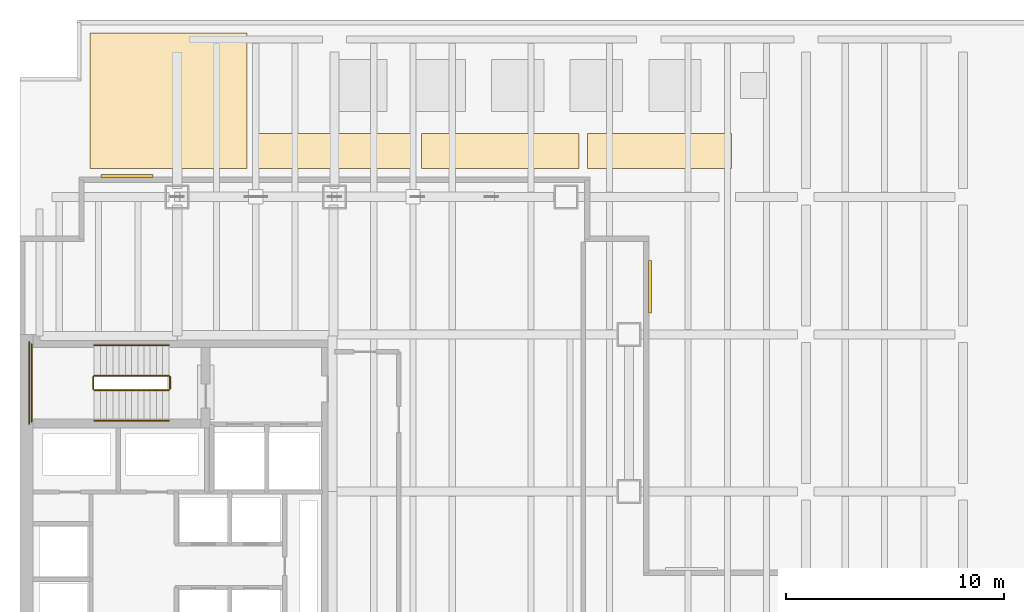
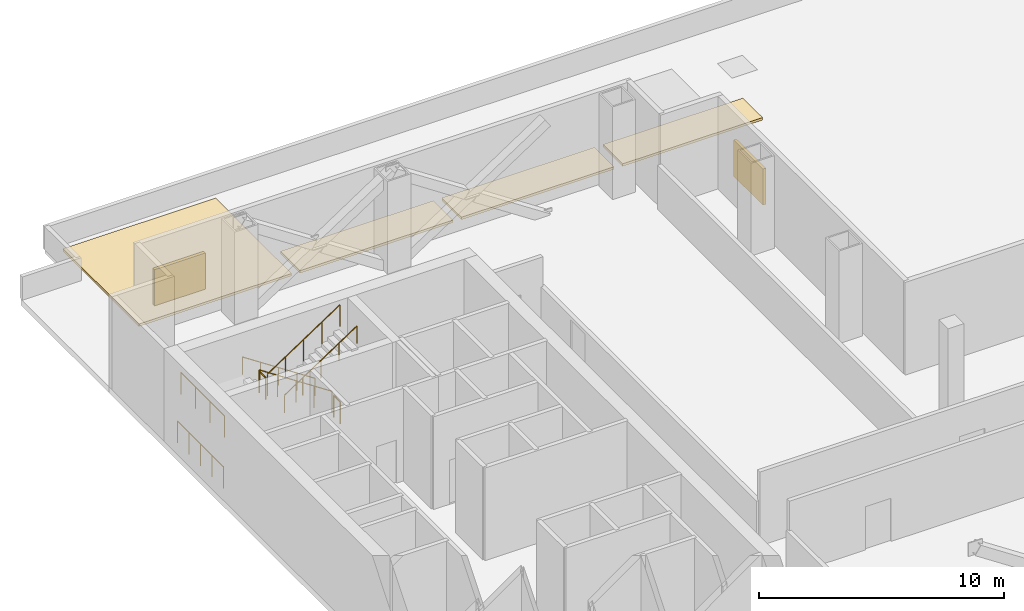
# One storey, part 11 of 12: 8 railings, 4 coverings, 2 shading devices.
"""IFC4 building model written with IfcOpenShell, lengths in metres."""

from ifc_helpers import new_model, si_unit, direction, frame, origin, origin_2d, place, context, subcontext, project, spatial, polyline, circle, outline, extrude, material, layer, layer_set, type_object, element, save


model = new_model("IFC4")

# Units and contexts
model_context = context("Model", 3, precision=1e-05, world=origin(), true_north=direction((0.0, 1.0)))
body_context = subcontext(model_context, "Body", "Model", "MODEL_VIEW")
ifc_project = project(units=[si_unit("LENGTHUNIT", "METRE"), si_unit("AREAUNIT", "SQUARE_METRE"), si_unit("VOLUMEUNIT", "CUBIC_METRE"), si_unit("PLANEANGLEUNIT", "RADIAN"), si_unit("MASSUNIT", "GRAM", prefix="KILO")], contexts=[model_context])

# Site, building, storey
site_placement = place(None, origin())
site = spatial("IfcSite", under=ifc_project, at=site_placement, CompositionType="ELEMENT")
building_placement = place(site_placement, origin())
building = spatial("IfcBuilding", under=site, at=building_placement, Name="Cobrela Telecom Tower", CompositionType="ELEMENT")
storey_placement = place(building_placement, frame((0.0, 0.0, 26.25)))
storey = spatial("IfcBuildingStorey", under=building, at=storey_placement, Name="L06", CompositionType="ELEMENT", Elevation=26.25)

# Coverings
ifc_material_1 = material(Name="TPO Waterproofing Membrane")
ifc_layer_1 = layer(ifc_material_1, 0.1201171875)
ifc_layer_set_1 = layer_set([ifc_layer_1], Name="TPO Waterproofing Membrane")
covering_type = type_object("IfcCoveringType", Name="COV-ROOF-120", PredefinedType="ROOFING", material=ifc_layer_set_1)
covering_1_placement = place(storey_placement, origin())
element("IfcCovering", 1, at=covering_1_placement, inside=storey, type_object=covering_type, Name="L06 Waterproof Insulated Roof Membrane POD-N1", PredefinedType="ROOFING", context=body_context, shape_type="SweptSolid", body=[
    extrude(outline(polyline([(3.199951171875, 43.60009765625), (10.39990234375, 43.60009765625), (10.39990234375, 49.800048828125), (3.199951171875, 49.800048828125), (3.199951171875, 43.60009765625)])), origin(), (0.0, 0.0, 1.0), 0.1201171875),
])
covering_2_placement = place(storey_placement, origin())
element("IfcCovering", 2, at=covering_2_placement, inside=storey, type_object=covering_type, Name="L06 Waterproof Insulated Roof Membrane POD-N2", PredefinedType="ROOFING", context=body_context, shape_type="SweptSolid", body=[
    extrude(outline(polyline([(10.800048828125, 43.60009765625), (18.0, 43.60009765625), (18.0, 45.199951171875), (10.800048828125, 45.199951171875), (10.800048828125, 43.60009765625)])), origin(), (0.0, 0.0, 1.0), 0.1201171875),
])
covering_3_placement = place(storey_placement, origin())
element("IfcCovering", 3, at=covering_3_placement, inside=storey, type_object=covering_type, Name="L06 Waterproof Insulated Roof Membrane POD-N3", PredefinedType="ROOFING", context=body_context, shape_type="SweptSolid", body=[
    extrude(outline(polyline([(18.39990234375, 43.60009765625), (25.60009765625, 43.60009765625), (25.60009765625, 45.199951171875), (18.39990234375, 45.199951171875), (18.39990234375, 43.60009765625)])), origin(), (0.0, 0.0, 1.0), 0.1201171875),
])
covering_4_placement = place(storey_placement, origin())
element("IfcCovering", 4, at=covering_4_placement, inside=storey, type_object=covering_type, Name="L06 Waterproof Insulated Roof Membrane POD-N4", PredefinedType="ROOFING", context=body_context, shape_type="SweptSolid", body=[
    extrude(outline(polyline([(26.0, 43.60009765625), (32.60009765625, 43.60009765625), (32.60009765625, 45.199951171875), (26.0, 45.199951171875), (26.0, 43.60009765625)])), origin(), (0.0, 0.0, 1.0), 0.1201171875),
])

# Railings
ifc_material_2 = material(Name="Steel ASTM A36", Category="steel")
railing_type_1 = type_object("IfcRailingType", Name="RAIL-GUARD-1100", PredefinedType="GUARDRAIL", material=ifc_material_2)
railing_1_placement = place(storey_placement, frame((6.820068359375, 34.10009765625, 0.1884765625)))
element("IfcRailing", 5, at=railing_1_placement, inside=storey, type_object=railing_type_1, Name="L06 ST1 stair guard 1", PredefinedType="GUARDRAIL", context=body_context, shape_type="SweptSolid", body=[
    extrude(circle(Radius=0.02392578125, at=origin_2d()), frame((0.0, 0.0, 1.076171875), z_axis=(-0.83414210066, 0.0, 0.551549595147), x_axis=(0.0, -1.0, 0.0)), (0.0, 0.0, 1.0), 4.100341796875),
    extrude(circle(Radius=0.02099609375, at=origin_2d()), origin(), (0.0, 0.0, 1.0), 1.052001953125),
    extrude(circle(Radius=0.02099609375, at=origin_2d()), frame((-0.85498046875, 0.0, 0.5654296875)), (0.0, 0.0, 1.0), 1.052001953125),
    extrude(circle(Radius=0.02099609375, at=origin_2d()), frame((-1.7099609375, 0.0, 1.130859375)), (0.0, 0.0, 1.0), 1.052001953125),
    extrude(circle(Radius=0.02099609375, at=origin_2d()), frame((-2.565185546875, 0.0, 1.696044921875)), (0.0, 0.0, 1.0), 1.052001953125),
    extrude(circle(Radius=0.02099609375, at=origin_2d()), frame((-3.420166015625, 0.0, 2.261474609375)), (0.0, 0.0, 1.0), 1.052001953125),
])
railing_2_placement = place(storey_placement, frame((3.35009765625, 34.050048828125, 2.449951171875)))
element("IfcRailing", 6, at=railing_2_placement, inside=storey, type_object=railing_type_1, Name="L06 ST1 stair guard 2", PredefinedType="GUARDRAIL", context=body_context, shape_type="SweptSolid", body=[
    extrude(circle(Radius=0.02392578125, at=origin_2d()), frame((0.0, 0.0, 1.076171875), z_axis=(0.0, -1.0, 0.0), x_axis=(1.0, 0.0, 0.0)), (0.0, 0.0, 1.0), 0.550048828125),
    extrude(circle(Radius=0.02099609375, at=origin_2d()), origin(), (0.0, 0.0, 1.0), 1.052001953125),
    extrude(circle(Radius=0.02099609375, at=origin_2d()), frame((0.0, -0.550048828125, 0.0)), (0.0, 0.0, 1.0), 1.052001953125),
])
railing_3_placement = place(storey_placement, frame((0.530029296875, 35.550048828125, 2.449951171875)))
element("IfcRailing", 7, at=railing_3_placement, inside=storey, type_object=railing_type_1, Name="L06 ST1 stair guard 3", PredefinedType="GUARDRAIL", context=body_context, shape_type="SweptSolid", body=[
    extrude(circle(Radius=0.02392578125, at=origin_2d()), frame((0.0, 0.0, 1.076171875), z_axis=(0.0, -1.0, 0.0), x_axis=(1.0, 0.0, 0.0)), (0.0, 0.0, 1.0), 3.550048828125),
    extrude(circle(Radius=0.02099609375, at=origin_2d()), origin(), (0.0, 0.0, 1.0), 1.052001953125),
    extrude(circle(Radius=0.02099609375, at=origin_2d()), frame((0.0, -1.183349609375, 0.0)), (0.0, 0.0, 1.0), 1.052001953125),
    extrude(circle(Radius=0.02099609375, at=origin_2d()), frame((0.0, -2.36669921875, 0.0)), (0.0, 0.0, 1.0), 1.052001953125),
    extrude(circle(Radius=0.02099609375, at=origin_2d()), frame((0.0, -3.550048828125, 0.0)), (0.0, 0.0, 1.0), 1.052001953125),
])
railing_4_placement = place(storey_placement, frame((3.39990234375, 33.449951171875, 2.638427734375)))
element("IfcRailing", 8, at=railing_4_placement, inside=storey, type_object=railing_type_1, Name="L06 ST1 stair guard 4", PredefinedType="GUARDRAIL", context=body_context, shape_type="SweptSolid", body=[
    extrude(circle(Radius=0.02392578125, at=origin_2d()), frame((0.0, 0.0, 1.076171875), z_axis=(0.83414210066, 0.0, 0.551549595147), x_axis=(0.0, 1.0, 0.0)), (0.0, 0.0, 1.0), 4.100341796875),
    extrude(circle(Radius=0.02099609375, at=origin_2d()), origin(), (0.0, 0.0, 1.0), 1.052001953125),
    extrude(circle(Radius=0.02099609375, at=origin_2d()), frame((0.85498046875, 0.0, 0.5654296875)), (0.0, 0.0, 1.0), 1.052001953125),
    extrude(circle(Radius=0.02099609375, at=origin_2d()), frame((1.7099609375, 0.0, 1.130859375)), (0.0, 0.0, 1.0), 1.052001953125),
    extrude(circle(Radius=0.02099609375, at=origin_2d()), frame((2.565185546875, 0.0, 1.696044921875)), (0.0, 0.0, 1.0), 1.052001953125),
    extrude(circle(Radius=0.02099609375, at=origin_2d()), frame((3.420166015625, 0.0, 2.261474609375)), (0.0, 0.0, 1.0), 1.052001953125),
])
railing_5_placement = place(storey_placement, frame((6.8701171875, 34.050048828125, 0.0)))
element("IfcRailing", 9, at=railing_5_placement, inside=storey, type_object=railing_type_1, Name="L06 ST1 stair guard 5", PredefinedType="GUARDRAIL", context=body_context, shape_type="SweptSolid", body=[
    extrude(circle(Radius=0.02392578125, at=origin_2d()), frame((0.0, 0.0, 1.076171875), z_axis=(0.0, -1.0, 0.0), x_axis=(1.0, 0.0, 0.0)), (0.0, 0.0, 1.0), 0.550048828125),
    extrude(circle(Radius=0.02099609375, at=origin_2d()), origin(), (0.0, 0.0, 1.0), 1.052001953125),
    extrude(circle(Radius=0.02099609375, at=origin_2d()), frame((0.0, -0.550048828125, 0.0)), (0.0, 0.0, 1.0), 1.052001953125),
])
railing_6_placement = place(storey_placement, frame((0.429931640625, 35.64990234375, 0.0)))
element("IfcRailing", 10, at=railing_6_placement, inside=storey, type_object=railing_type_1, Name="L06 ST1 stair guard 6", PredefinedType="GUARDRAIL", context=body_context, shape_type="SweptSolid", body=[
    extrude(circle(Radius=0.02392578125, at=origin_2d()), frame((0.0, 0.0, 1.076171875), z_axis=(0.0, -1.0, 0.0), x_axis=(1.0, 0.0, 0.0)), (0.0, 0.0, 1.0), 3.75),
    extrude(circle(Radius=0.02099609375, at=origin_2d()), origin(), (0.0, 0.0, 1.0), 1.052001953125),
    extrude(circle(Radius=0.02099609375, at=origin_2d()), frame((0.0, -0.9375, 0.0)), (0.0, 0.0, 1.0), 1.052001953125),
    extrude(circle(Radius=0.02099609375, at=origin_2d()), frame((0.0, -1.875, 0.0)), (0.0, 0.0, 1.0), 1.052001953125),
    extrude(circle(Radius=0.02099609375, at=origin_2d()), frame((0.0, -2.8125, 0.0)), (0.0, 0.0, 1.0), 1.052001953125),
    extrude(circle(Radius=0.02099609375, at=origin_2d()), frame((0.0, -3.75, 0.0)), (0.0, 0.0, 1.0), 1.052001953125),
])
railing_type_2 = type_object("IfcRailingType", Name="RAIL-HAND-920", PredefinedType="HANDRAIL", material=ifc_material_2)
railing_7_placement = place(storey_placement, frame((6.820068359375, 35.5, 0.1884765625)))
element("IfcRailing", 11, at=railing_7_placement, inside=storey, type_object=railing_type_2, Name="L06 ST1 stair handrail 1", PredefinedType="HANDRAIL", context=body_context, shape_type="SweptSolid", body=[
    extrude(circle(Radius=0.02392578125, at=origin_2d()), frame((0.0, 0.0, 0.8759765625), z_axis=(-0.83414210066, 0.0, 0.551549595147), x_axis=(0.0, -1.0, 0.0)), (0.0, 0.0, 1.0), 4.100341796875),
    extrude(circle(Radius=0.02099609375, at=origin_2d()), origin(), (0.0, 0.0, 1.0), 0.851806640625),
    extrude(circle(Radius=0.02099609375, at=origin_2d()), frame((-0.85498046875, 0.0, 0.5654296875)), (0.0, 0.0, 1.0), 0.851806640625),
    extrude(circle(Radius=0.02099609375, at=origin_2d()), frame((-1.7099609375, 0.0, 1.130859375)), (0.0, 0.0, 1.0), 0.851806640625),
    extrude(circle(Radius=0.02099609375, at=origin_2d()), frame((-2.565185546875, 0.0, 1.696044921875)), (0.0, 0.0, 1.0), 0.851806640625),
    extrude(circle(Radius=0.02099609375, at=origin_2d()), frame((-3.420166015625, 0.0, 2.261474609375)), (0.0, 0.0, 1.0), 0.851806640625),
])
railing_8_placement = place(storey_placement, frame((3.39990234375, 32.050048828125, 2.638427734375)))
element("IfcRailing", 12, at=railing_8_placement, inside=storey, type_object=railing_type_2, Name="L06 ST1 stair handrail 2", PredefinedType="HANDRAIL", context=body_context, shape_type="SweptSolid", body=[
    extrude(circle(Radius=0.02392578125, at=origin_2d()), frame((0.0, 0.0, 0.8759765625), z_axis=(0.83414210066, 0.0, 0.551549595147), x_axis=(0.0, 1.0, 0.0)), (0.0, 0.0, 1.0), 4.100341796875),
    extrude(circle(Radius=0.02099609375, at=origin_2d()), origin(), (0.0, 0.0, 1.0), 0.851806640625),
    extrude(circle(Radius=0.02099609375, at=origin_2d()), frame((0.85498046875, 0.0, 0.5654296875)), (0.0, 0.0, 1.0), 0.851806640625),
    extrude(circle(Radius=0.02099609375, at=origin_2d()), frame((1.7099609375, 0.0, 1.130859375)), (0.0, 0.0, 1.0), 0.851806640625),
    extrude(circle(Radius=0.02099609375, at=origin_2d()), frame((2.565185546875, 0.0, 1.696044921875)), (0.0, 0.0, 1.0), 0.851806640625),
    extrude(circle(Radius=0.02099609375, at=origin_2d()), frame((3.420166015625, 0.0, 2.261474609375)), (0.0, 0.0, 1.0), 0.851806640625),
])

# Shading devices
ifc_material_3 = material(Name="Anodized Bronze Aluminium 6063-T6", Category="aluminium")
ifc_layer_2 = layer(ifc_material_3, 0.159912109375)
ifc_layer_set_2 = layer_set([ifc_layer_2], Name="Anodized Bronze Aluminium 6063-T6")
shading_device_type = type_object("IfcShadingDeviceType", Name="SHD-LOUVRE-BRZ", PredefinedType="JALOUSIE", material=ifc_layer_set_2)
shading_device_1_placement = place(storey_placement, frame((0.0, 0.0, 1.10009765625)))
element("IfcShadingDevice", 13, at=shading_device_1_placement, inside=storey, type_object=shading_device_type, Name="L06 Acoustic Bronze Plant Louvre 01", PredefinedType="JALOUSIE", context=body_context, shape_type="SweptSolid", body=[
    extrude(outline(polyline([(3.699951171875, 43.18994140625), (6.10009765625, 43.18994140625), (6.10009765625, 43.330078125), (3.699951171875, 43.330078125), (3.699951171875, 43.18994140625)])), origin(), (0.0, 0.0, 1.0), 1.7998046875),
])
shading_device_2_placement = place(storey_placement, frame((0.0, 0.0, 1.10009765625)))
element("IfcShadingDevice", 14, at=shading_device_2_placement, inside=storey, type_object=shading_device_type, Name="L06 Acoustic Bronze Plant Louvre 02", PredefinedType="JALOUSIE", context=body_context, shape_type="SweptSolid", body=[
    extrude(outline(polyline([(28.7900390625, 39.3798828125), (28.7900390625, 36.97998046875), (28.929931640625, 36.97998046875), (28.929931640625, 39.3798828125), (28.7900390625, 39.3798828125)])), origin(), (0.0, 0.0, 1.0), 1.7998046875),
])

save(model, "model.ifc")
